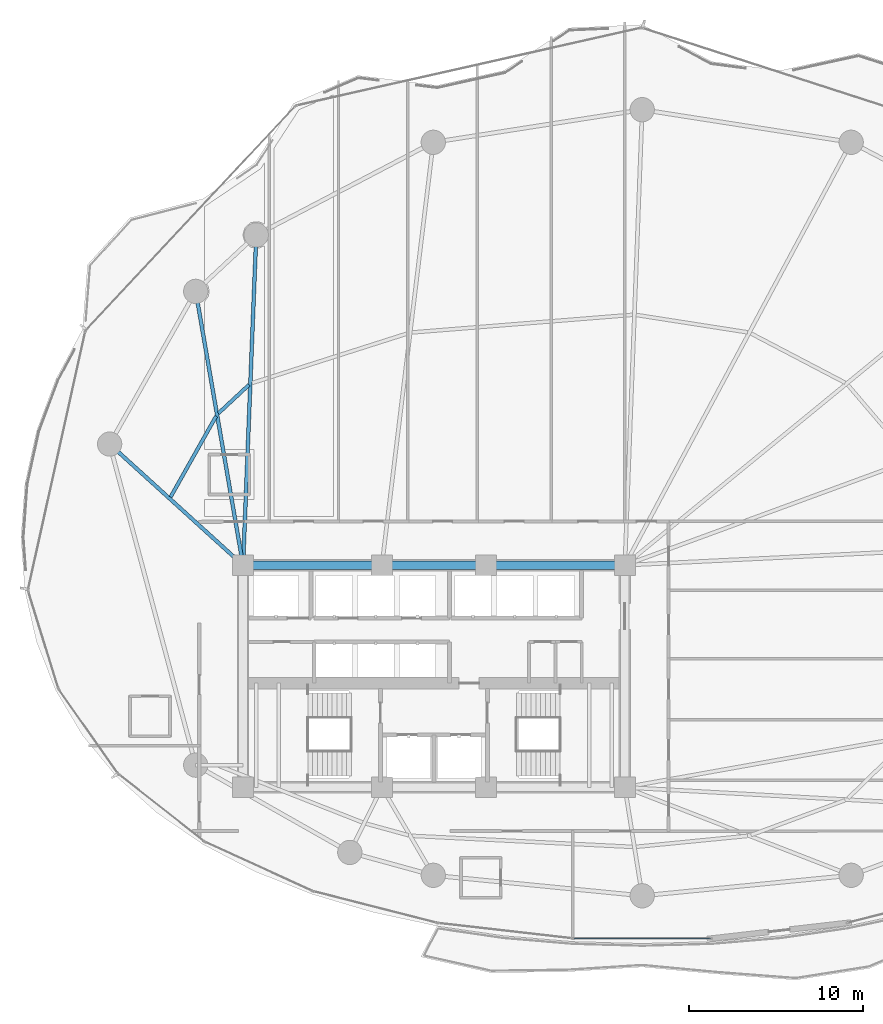
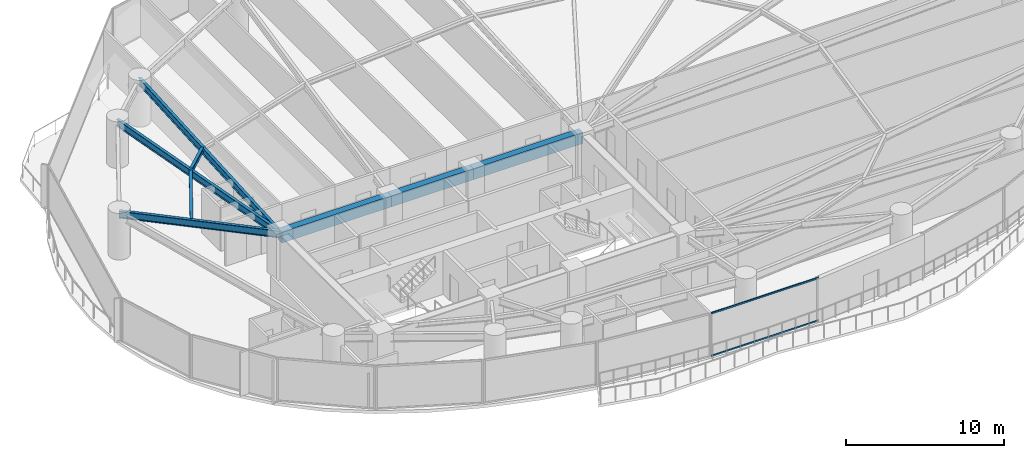
# One storey, part 9 of 33: 8 beams, 2 members, 1 element without a shape of its own.
"""IFC4 building model written with IfcOpenShell, lengths in metres."""

from ifc_helpers import new_model, si_unit, direction, frame, origin, origin_2d, place, context, subcontext, project, spatial, rectangle, hollow_rectangle, i_section, extrude, material, layer, layer_set, material_profile, profile_set, type_object, element, aggregate, save


model = new_model("IFC4")

# Units and contexts
model_context = context("Model", 3, precision=1e-05, world=origin(), true_north=direction((0.0, 1.0)))
body_context = subcontext(model_context, "Body", "Model", "MODEL_VIEW")
ifc_project = project(units=[si_unit("LENGTHUNIT", "METRE"), si_unit("AREAUNIT", "SQUARE_METRE"), si_unit("VOLUMEUNIT", "CUBIC_METRE"), si_unit("PLANEANGLEUNIT", "RADIAN"), si_unit("MASSUNIT", "GRAM", prefix="KILO")], contexts=[model_context])

# Site, building, storey
site_placement = place(None, origin())
site = spatial("IfcSite", under=ifc_project, at=site_placement, CompositionType="ELEMENT")
building_placement = place(site_placement, origin())
building = spatial("IfcBuilding", under=site, at=building_placement, Name="Kazevale Care Tower and Concert Hall", CompositionType="ELEMENT")
storey_placement = place(building_placement, frame((0.0, 0.0, 27.60009765625)))
storey = spatial("IfcBuildingStorey", under=building, at=storey_placement, Name="L06", CompositionType="ELEMENT", Elevation=27.60009765625)

# Curtain wall, members
ifc_material_1 = material(Name="Aluminium 6063-T6 and Low-E Glass", Category="aluminium")
ifc_layer = layer(ifc_material_1, 0.179931640625)
ifc_layer_set = layer_set([ifc_layer], Name="Aluminium 6063-T6 and Low-E Glass")
curtain_wall_type = type_object("IfcCurtainWallType", Name="Sheltered Concave Balcony Curtain Wall CW-5", PredefinedType="NOTDEFINED", material=ifc_layer_set)
curtain_wall_placement = place(storey_placement, origin())
curtain_wall = element("IfcCurtainWall", 1, at=curtain_wall_placement, inside=storey, type_object=curtain_wall_type, Name="cw:L06:f06", PredefinedType="NOTDEFINED")
ifc_material_2 = material(Name="Aluminium 6063-T6", Category="aluminium")
ifc_material_profile_1 = material_profile(ifc_material_2, hollow_rectangle(XDim=0.074951171875, YDim=0.1201171875, WallThickness=0.00390625, at=origin_2d()), Name="ALU75x120x4")
ifc_profile_set_1 = profile_set([ifc_material_profile_1], Name="Aluminium 6063-T6")
member_type = type_object("IfcMemberType", Name="CW-5 Transom ALU75x120x4", PredefinedType="USERDEFINED", material=ifc_profile_set_1)
member_1_placement = place(storey_placement, frame((48.923095703125, 14.889892578125, 0.037353515625), z_axis=(-1.0, 0.0, 0.0), x_axis=(0.0, -1.0, 0.0)))
member_1 = element("IfcMember", 2, at=member_1_placement, type_object=member_type, Name="CW-5 transom 1.1", ObjectType="TRANSOM", PredefinedType="USERDEFINED", context=body_context, shape_type="SweptSolid", body=[
    extrude(hollow_rectangle(XDim=0.074951171875, YDim=0.1201171875, WallThickness=0.00390625, at=origin_2d()), origin(), (0.0, 0.0, 1.0), 7.84619140625),
])
member_2_placement = place(storey_placement, frame((48.923095703125, 14.889892578125, 3.322509765625), z_axis=(-1.0, 0.0, 0.0), x_axis=(0.0, -1.0, 0.0)))
member_2 = element("IfcMember", 3, at=member_2_placement, type_object=member_type, Name="CW-5 transom 1.2", ObjectType="TRANSOM", PredefinedType="USERDEFINED", context=body_context, shape_type="SweptSolid", body=[
    extrude(hollow_rectangle(XDim=0.074951171875, YDim=0.1201171875, WallThickness=0.00390625, at=origin_2d()), origin(), (0.0, 0.0, 1.0), 7.84619140625),
])
aggregate(curtain_wall, [member_1, member_2])

# Beams
ifc_material_3 = material(Name="Concrete C60", Category="concrete")
ifc_material_profile_2 = material_profile(ifc_material_3, rectangle(XDim=0.5, YDim=0.85009765625, at=origin_2d()), Name="RC-B500x850")
ifc_profile_set_2 = profile_set([ifc_material_profile_2], Name="Concrete C60")
beam_type_1 = type_object("IfcBeamType", Name="Core Coupling Beam RC500x850", PredefinedType="LINTEL", material=ifc_profile_set_2)
beam_1_placement = place(storey_placement, frame((44.0, 36.39990234375, 2.934814453125), z_axis=(-1.0, 0.0, 0.0), x_axis=(0.0, -1.0, 0.0)))
element("IfcBeam", 4, at=beam_1_placement, inside=storey, type_object=beam_type_1, Name="beam:L06:coretie:5", PredefinedType="LINTEL", context=body_context, shape_type="SweptSolid", body=[
    extrude(rectangle(XDim=0.5, YDim=0.85009765625, at=origin_2d()), origin(), (0.0, 0.0, 1.0), 8.0),
])
beam_2_placement = place(storey_placement, frame((36.0, 36.39990234375, 2.934814453125), z_axis=(-1.0, 0.0, 0.0), x_axis=(0.0, -1.0, 0.0)))
element("IfcBeam", 5, at=beam_2_placement, inside=storey, type_object=beam_type_1, Name="beam:L06:coretie:6", PredefinedType="LINTEL", context=body_context, shape_type="SweptSolid", body=[
    extrude(rectangle(XDim=0.5, YDim=0.85009765625, at=origin_2d()), origin(), (0.0, 0.0, 1.0), 6.0),
])
beam_3_placement = place(storey_placement, frame((30.0, 36.39990234375, 2.934814453125), z_axis=(-1.0, 0.0, 0.0), x_axis=(0.0, -1.0, 0.0)))
element("IfcBeam", 6, at=beam_3_placement, inside=storey, type_object=beam_type_1, Name="beam:L06:coretie:7", PredefinedType="LINTEL", context=body_context, shape_type="SweptSolid", body=[
    extrude(rectangle(XDim=0.5, YDim=0.85009765625, at=origin_2d()), origin(), (0.0, 0.0, 1.0), 8.0),
])
ifc_material_4 = material(Name="Steel ASTM A572 Gr 50", Category="steel")
ifc_material_profile_3 = material_profile(ifc_material_4, i_section(OverallWidth=0.2119140625, OverallDepth=0.5439453125, WebThickness=0.01318359375, FlangeThickness=0.021240234375, at=origin_2d()), Name="W530x123")
ifc_profile_set_3 = profile_set([ifc_material_profile_3], Name="Steel ASTM A572 Gr 50")
beam_type_2 = type_object("IfcBeamType", Name="Radial Floor Girder W530x123", PredefinedType="BEAM", material=ifc_profile_set_3)
beam_4_placement = place(storey_placement, frame((22.0, 36.39990234375, 3.087890625), z_axis=(0.039905581428, 0.999203455044, 0.0), x_axis=(-0.999203455044, 0.039905581428, 0.0)))
element("IfcBeam", 7, at=beam_4_placement, inside=storey, type_object=beam_type_2, Name="beam:L06:rad:07", PredefinedType="BEAM", context=body_context, shape_type="SweptSolid", body=[
    extrude(i_section(OverallWidth=0.2119140625, OverallDepth=0.5439453125, WebThickness=0.01318359375, FlangeThickness=0.021240234375, at=origin_2d()), origin(), (0.0, 0.0, 1.0), 19.045166015625),
])
beam_5_placement = place(storey_placement, frame((22.0, 36.39990234375, 3.087890625), z_axis=(-0.170469986865, 0.985362868987, 0.0), x_axis=(-0.985362868987, -0.170469986865, 0.0)))
element("IfcBeam", 8, at=beam_5_placement, inside=storey, type_object=beam_type_2, Name="beam:L06:rad:08", PredefinedType="BEAM", context=body_context, shape_type="SweptSolid", body=[
    extrude(i_section(OverallWidth=0.2119140625, OverallDepth=0.5439453125, WebThickness=0.01318359375, FlangeThickness=0.021240234375, at=origin_2d()), origin(), (0.0, 0.0, 1.0), 16.014404296875),
])
beam_6_placement = place(storey_placement, frame((22.0, 36.39990234375, 3.087890625), z_axis=(-0.740461073653, 0.672099247436, 0.0), x_axis=(-0.672099247436, -0.740461073653, 0.0)))
element("IfcBeam", 9, at=beam_6_placement, inside=storey, type_object=beam_type_2, Name="beam:L06:rad:09", PredefinedType="BEAM", context=body_context, shape_type="SweptSolid", body=[
    extrude(i_section(OverallWidth=0.2119140625, OverallDepth=0.5439453125, WebThickness=0.01318359375, FlangeThickness=0.021240234375, at=origin_2d()), origin(), (0.0, 0.0, 1.0), 10.38525390625),
])
ifc_material_profile_4 = material_profile(ifc_material_4, i_section(OverallWidth=0.205078125, OverallDepth=0.35400390625, WebThickness=0.009521484375, FlangeThickness=0.016845703125, at=origin_2d()), Name="W360x79")
ifc_profile_set_4 = profile_set([ifc_material_profile_4], Name="Steel ASTM A572 Gr 50")
beam_type_3 = type_object("IfcBeamType", Name="Secondary Floor Joist W360x79", PredefinedType="JOIST", material=ifc_profile_set_4)
beam_7_placement = place(storey_placement, frame((22.341064453125, 46.794921875, 3.182861328125), z_axis=(-0.73194965424, -0.68135871878, 0.0), x_axis=(0.68135871878, -0.73194965424, 0.0)))
element("IfcBeam", 10, at=beam_7_placement, inside=storey, type_object=beam_type_3, Name="beam:L06:joist:07", PredefinedType="JOIST", context=body_context, shape_type="SweptSolid", body=[
    extrude(i_section(OverallWidth=0.205078125, OverallDepth=0.35400390625, WebThickness=0.009521484375, FlangeThickness=0.016845703125, at=origin_2d()), origin(), (0.0, 0.0, 1.0), 2.412841796875),
])
beam_8_placement = place(storey_placement, frame((20.447021484375, 44.988037109375, 3.182861328125), z_axis=(-0.490956987312, -0.871183813331, 0.0), x_axis=(0.871183813331, -0.490956987312, 0.0)))
element("IfcBeam", 11, at=beam_8_placement, inside=storey, type_object=beam_type_3, Name="beam:L06:joist:08", PredefinedType="JOIST", context=body_context, shape_type="SweptSolid", body=[
    extrude(i_section(OverallWidth=0.205078125, OverallDepth=0.35400390625, WebThickness=0.009521484375, FlangeThickness=0.016845703125, at=origin_2d()), origin(), (0.0, 0.0, 1.0), 5.3466796875),
])

save(model, "model.ifc")
